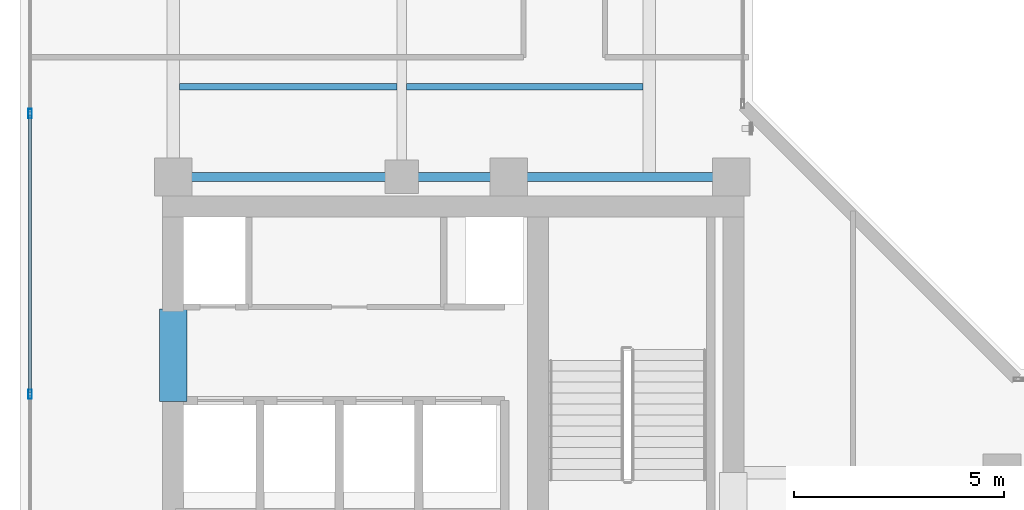
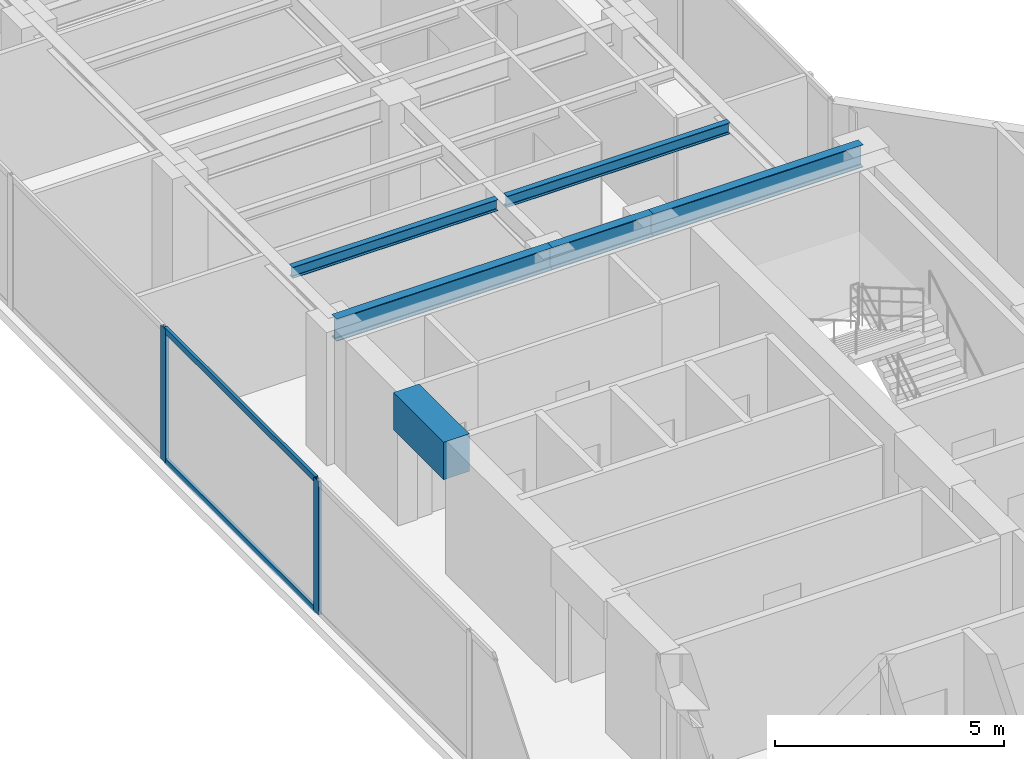
# One storey, part 7 of 22: 6 beams, 4 members, 1 element without a shape of its own.
"""IFC4 building model written with IfcOpenShell, lengths in metres."""

import ifcopenshell
import ifcopenshell.guid

model = None  # the IFC model being written
_history = None  # IfcOwnerHistory: only IFC2X3 demands one
_inside = {}  # id of a spatial element -> (the spatial element, [elements in it])
_under = {}  # id of a project, library or spatial element -> (it, [spatial elements below it])
_declared = {}  # id of a project -> (the project, [libraries it declares])
_typed = {}  # id of a type object -> (the type object, [elements of that type])
_made_of = {}  # id of a material, layer set ... -> (it, [elements and type objects made of it])


def new_model(schema):
    """Start an empty IFC model of exactly this schema.

    Asked for "IFC4X3", IfcOpenShell would pick the latest addendum, in which some entities
    have other attributes; the version numbers below select the first issue.
    IFC2X3 requires an IfcOwnerHistory on every rooted entity: one is made here for all.
    """
    global model, _history
    if schema == "IFC4X3":
        model = ifcopenshell.file(schema_version=(4, 3, 0, 0))
    else:
        model = ifcopenshell.file(schema=schema)
    _inside.clear()
    _under.clear()
    _declared.clear()
    _typed.clear()
    _made_of.clear()
    _history = None
    if model.schema == "IFC2X3":
        org = make("IfcOrganization", Name="unknown")
        user = make(
            "IfcPersonAndOrganization",
            ThePerson=make("IfcPerson", FamilyName="unknown"),
            TheOrganization=org,
        )
        app = make(
            "IfcApplication",
            ApplicationDeveloper=org,
            Version="unknown",
            ApplicationFullName="unknown",
            ApplicationIdentifier="unknown",
        )
        _history = make(
            "IfcOwnerHistory",
            OwningUser=user,
            OwningApplication=app,
            ChangeAction="ADDED",
            CreationDate=0,
        )
    return model


def make(cls, **values):
    """One entity of the class cls with the attributes given. An attribute that is None is left unset."""
    return model.create_entity(
        cls, **{name: value for name, value in values.items() if value is not None}
    )


def rooted(cls, **values):
    """An entity with a GlobalId (a new one), such as an element, a storey or a relation."""
    return make(cls, GlobalId=ifcopenshell.guid.new(), OwnerHistory=_history, **values)


def si_unit(unit_type, name, prefix=None):
    """IfcSIUnit, for example si_unit("LENGTHUNIT", "METRE", prefix="MILLI")."""
    return make("IfcSIUnit", UnitType=unit_type, Prefix=prefix, Name=name)


def assignment(units):
    """IfcUnitAssignment: the units of a project."""
    return None if units is None else make("IfcUnitAssignment", Units=units)


def point(xyz):
    """IfcCartesianPoint."""
    return None if xyz is None else make("IfcCartesianPoint", Coordinates=xyz)


def direction(xyz):
    """IfcDirection."""
    return None if xyz is None else make("IfcDirection", DirectionRatios=xyz)


def frame(location, z_axis=None, x_axis=None):
    """IfcAxis2Placement3D, a coordinate frame: its origin and axes. An axis left out is left unset."""
    return make(
        "IfcAxis2Placement3D",
        Location=point(location),
        Axis=direction(z_axis),
        RefDirection=direction(x_axis),
    )


def frame_2d(location, x_axis=None):
    """IfcAxis2Placement2D, a coordinate frame in the plane: its origin and x axis."""
    return make(
        "IfcAxis2Placement2D", Location=point(location), RefDirection=direction(x_axis)
    )


def origin():
    """The frame at (0, 0, 0) with its axes left unset."""
    return frame((0.0, 0.0, 0.0))


def origin_with_axes():
    """The frame at (0, 0, 0) with the z axis (0, 0, 1) and the x axis (1, 0, 0) written out."""
    return frame((0.0, 0.0, 0.0), z_axis=(0.0, 0.0, 1.0), x_axis=(1.0, 0.0, 0.0))


def origin_2d():
    """The frame at (0, 0) in the plane with its x axis left unset."""
    return frame_2d((0.0, 0.0))


def place(relative_to, where):
    """IfcLocalPlacement: puts the frame where relative to a parent placement (None: the world)."""
    return make(
        "IfcLocalPlacement", PlacementRelTo=relative_to, RelativePlacement=where
    )


def context(
    kind, dimensions, precision=None, world=None, true_north=None, identifier=None
):
    """IfcGeometricRepresentationContext, for example the 3D "Model" context."""
    return make(
        "IfcGeometricRepresentationContext",
        ContextIdentifier=identifier,
        ContextType=kind,
        CoordinateSpaceDimension=dimensions,
        Precision=precision,
        WorldCoordinateSystem=world,
        TrueNorth=true_north,
    )


def subcontext(parent, identifier, kind, view, scale=None):
    """IfcGeometricRepresentationSubContext, for example "Body" below "Model"."""
    return make(
        "IfcGeometricRepresentationSubContext",
        ContextIdentifier=identifier,
        ContextType=kind,
        ParentContext=parent,
        TargetScale=scale,
        TargetView=view,
    )


def project(units=None, contexts=None):
    """IfcProject with its units and contexts."""
    return rooted(
        "IfcProject",
        Name="project",
        RepresentationContexts=contexts,
        UnitsInContext=assignment(units),
    )


def spatial(cls, under=None, at=None, **own):
    """A site, building, storey or space (cls), placed at a placement, below another one or the project."""
    s = rooted(cls, ObjectPlacement=at, **own)
    if under is not None:
        _under.setdefault(under.id(), (under, []))[1].append(s)
    return s


def profile(cls, at=None, kind="AREA", **sizes):
    """A parametric profile (cls). Its sizes go by their IFC names, for example OverallWidth=200.0."""
    return make(cls, ProfileType=kind, Position=at, **sizes)


def rectangle(**sizes):
    """IfcRectangleProfileDef."""
    return profile("IfcRectangleProfileDef", **sizes)


def hollow_rectangle(**sizes):
    """IfcRectangleHollowProfileDef."""
    return profile("IfcRectangleHollowProfileDef", **sizes)


def i_section(**sizes):
    """IfcIShapeProfileDef."""
    return profile("IfcIShapeProfileDef", **sizes)


def extrude(swept, where, along, depth):
    """IfcExtrudedAreaSolid: the profile swept, set in the frame where, extruded along a direction by depth."""
    return make(
        "IfcExtrudedAreaSolid",
        SweptArea=swept,
        Position=where,
        ExtrudedDirection=direction(along),
        Depth=depth,
    )


def shape(context_of_items, identifier, shape_type, items):
    """IfcShapeRepresentation: the items that make up one representation, for example the "Body"."""
    return make(
        "IfcShapeRepresentation",
        ContextOfItems=context_of_items,
        RepresentationIdentifier=identifier,
        RepresentationType=shape_type,
        Items=items,
    )


def source(mapping_origin, context_of_items, identifier, shape_type, items):
    """IfcRepresentationMap: a shape defined once, which mapped items show again and again."""
    return make(
        "IfcRepresentationMap",
        MappingOrigin=mapping_origin,
        MappedRepresentation=shape(context_of_items, identifier, shape_type, items),
    )


def transform(
    local_origin,
    x_axis=None,
    y_axis=None,
    z_axis=None,
    scale=None,
    scale2=None,
    scale3=None,
    uniform=True,
):
    """IfcCartesianTransformationOperator3D, or its non-uniform kind. x_axis, y_axis, z_axis: its Axis1, 2, 3."""
    if uniform:
        return make(
            "IfcCartesianTransformationOperator3D",
            Axis1=direction(x_axis),
            Axis2=direction(y_axis),
            LocalOrigin=point(local_origin),
            Scale=scale,
            Axis3=direction(z_axis),
        )
    return make(
        "IfcCartesianTransformationOperator3DnonUniform",
        Axis1=direction(x_axis),
        Axis2=direction(y_axis),
        LocalOrigin=point(local_origin),
        Scale=scale,
        Axis3=direction(z_axis),
        Scale2=scale2,
        Scale3=scale3,
    )


def mapped(mapping_source, mapping_target):
    """IfcMappedItem: shows the shape of a source again, moved by a transform."""
    return make(
        "IfcMappedItem", MappingSource=mapping_source, MappingTarget=mapping_target
    )


def material(Name=None, Category=None):
    """IfcMaterial."""
    return make("IfcMaterial", Name=Name, Category=Category)


def layer(
    of_material, thickness, ventilated=None, Name=None, Category=None, Priority=None
):
    """IfcMaterialLayer: one layer of a wall or slab, of a material (None: an air gap)."""
    return make(
        "IfcMaterialLayer",
        Material=of_material,
        LayerThickness=thickness,
        IsVentilated=ventilated,
        Name=Name,
        Category=Category,
        Priority=Priority,
    )


def layer_set(layers, Name=None):
    """IfcMaterialLayerSet."""
    return make("IfcMaterialLayerSet", MaterialLayers=layers, LayerSetName=Name)


def material_profile(
    of_material, cross_section, Name=None, Category=None, Priority=None
):
    """IfcMaterialProfile: a cross section and its material."""
    return make(
        "IfcMaterialProfile",
        Name=Name,
        Material=of_material,
        Profile=cross_section,
        Priority=Priority,
        Category=Category,
    )


def profile_set(profiles, Name=None, composite=None):
    """IfcMaterialProfileSet."""
    return make(
        "IfcMaterialProfileSet",
        Name=Name,
        MaterialProfiles=profiles,
        CompositeProfile=composite,
    )


def made_of(thing, what):
    """Note that an element or type object is made of a material, layer set ...; save() writes the relation."""
    if what is not None:
        _made_of.setdefault(what.id(), (what, []))[1].append(thing)
    return thing


def type_object(cls, material=None, **own):
    """A type object (cls), such as IfcWallType, which elements share."""
    return made_of(rooted(cls, **own), material)


def element(
    cls,
    number,
    at=None,
    inside=None,
    cuts=None,
    type_object=None,
    material=None,
    context=None,
    identifier="Body",
    shape_type=None,
    held_by="IfcProductDefinitionShape",
    body=None,
    shapes=None,
    **own,
):
    """One element of the class cls, such as IfcWall. Its Tag is "e" and its number.

    at: its placement. inside: the storey or other place that contains it. cuts: it is an
    opening in that element (IfcRelVoidsElement). A single representation is given by context,
    identifier, shape_type and body (its items); several are given by shapes. held_by: the class
    of the entity that holds the representations. save() writes the other relations.
    """
    e = rooted(cls, Tag="e%d" % number, ObjectPlacement=at, **own)
    if body is not None:
        shapes = [shape(context, identifier, shape_type, body)]
    if shapes is not None:
        e.Representation = make(held_by, Representations=shapes)
    if inside is not None:
        _inside.setdefault(inside.id(), (inside, []))[1].append(e)
    if cuts is not None:
        rooted(
            "IfcRelVoidsElement", RelatingBuildingElement=cuts, RelatedOpeningElement=e
        )
    if type_object is not None:
        _typed.setdefault(type_object.id(), (type_object, []))[1].append(e)
    return made_of(e, material)


def aggregate(whole, parts):
    """IfcRelAggregates: a whole, such as a stair, and the parts it consists of."""
    return rooted("IfcRelAggregates", RelatingObject=whole, RelatedObjects=parts)


def save(model, path):
    """Write the relations noted so far, then the file.

    IfcRelAggregates (storeys below a building ...), IfcRelContainedInSpatialStructure (elements
    in a storey), IfcRelDefinesByType, IfcRelAssociatesMaterial and IfcRelDeclares: one each for
    every whole, place, type object, material and project.
    """
    for whole, parts in _under.values():
        aggregate(whole, parts)
    for where, things in _inside.values():
        rooted(
            "IfcRelContainedInSpatialStructure",
            RelatedElements=things,
            RelatingStructure=where,
        )
    for kind, things in _typed.values():
        rooted("IfcRelDefinesByType", RelatedObjects=things, RelatingType=kind)
    for what, things in _made_of.values():
        rooted("IfcRelAssociatesMaterial", RelatedObjects=things, RelatingMaterial=what)
    for by, libraries in _declared.values():
        rooted("IfcRelDeclares", RelatingContext=by, RelatedDefinitions=libraries)
    model.write(path)


model = new_model("IFC4")

# Units and contexts
model_context = context("Model", 3, precision=1e-05, world=origin(), true_north=direction((0.0, 1.0)))
body_context = subcontext(model_context, "Body", "Model", "MODEL_VIEW")
ifc_project = project(units=[si_unit("LENGTHUNIT", "METRE"), si_unit("AREAUNIT", "SQUARE_METRE"), si_unit("VOLUMEUNIT", "CUBIC_METRE"), si_unit("PLANEANGLEUNIT", "RADIAN"), si_unit("MASSUNIT", "GRAM", prefix="KILO")], contexts=[model_context])

# Site, building, storey
site_placement = place(None, origin())
site = spatial("IfcSite", under=ifc_project, at=site_placement, CompositionType="ELEMENT")
building_placement = place(site_placement, origin())
building = spatial("IfcBuilding", under=site, at=building_placement, Name="Kolvaren Waterfront Exchange", CompositionType="ELEMENT")
storey_placement = place(building_placement, frame((0.0, 0.0, 312.199951171875)))
storey = spatial("IfcBuildingStorey", under=building, at=storey_placement, Name="L80", CompositionType="ELEMENT", Elevation=312.199951171875)

# Beams
ifc_material_1 = material(Name="Steel S355", Category="steel")
ifc_material_profile_1 = material_profile(ifc_material_1, i_section(OverallWidth=0.14990234375, OverallDepth=0.300048828125, WebThickness=0.007080078125, FlangeThickness=0.0107421875, FilletRadius=0.014892578125, at=origin_2d()), Name="IPE300")
ifc_profile_set_1 = profile_set([ifc_material_profile_1], Name="Steel S355")
beam_type_1 = type_object("IfcBeamType", Name="STR-BM-IPE300", PredefinedType="JOIST", material=ifc_profile_set_1)
beam_1_placement = place(storey_placement, frame((7.60205078125, 26.60009765625, 3.41015625), z_axis=(1.0, 0.0, 0.0), x_axis=(0.0, 1.0, 0.0)))
element("IfcBeam", 1, at=beam_1_placement, inside=storey, type_object=beam_type_1, Name="L80 north-arm composite joist 1A", PredefinedType="JOIST", context=body_context, shape_type="SweptSolid", body=[
    extrude(i_section(OverallWidth=0.14990234375, OverallDepth=0.300048828125, WebThickness=0.007080078125, FlangeThickness=0.0107421875, FilletRadius=0.014892578125, at=origin_2d()), origin(), (0.0, 0.0, 1.0), 5.18603515625),
])
beam_2_placement = place(storey_placement, frame((13.011962890625, 26.60009765625, 3.41015625), z_axis=(1.0, 0.0, 0.0), x_axis=(0.0, 1.0, 0.0)))
element("IfcBeam", 2, at=beam_2_placement, inside=storey, type_object=beam_type_1, Name="L80 north-arm composite joist 1B", PredefinedType="JOIST", context=body_context, shape_type="SweptSolid", body=[
    extrude(i_section(OverallWidth=0.14990234375, OverallDepth=0.300048828125, WebThickness=0.007080078125, FlangeThickness=0.0107421875, FilletRadius=0.014892578125, at=origin_2d()), origin(), (0.0, 0.0, 1.0), 5.635986328125),
])
ifc_material_profile_2 = material_profile(ifc_material_1, i_section(OverallWidth=0.219970703125, OverallDepth=0.60009765625, WebThickness=0.011962890625, FlangeThickness=0.01904296875, FilletRadius=0.02392578125, at=origin_2d()), Name="IPE600")
ifc_profile_set_2 = profile_set([ifc_material_profile_2], Name="Steel S355")
beam_type_2 = type_object("IfcBeamType", Name="STR-BM-IPE600", PredefinedType="BEAM", material=ifc_profile_set_2)
beam_3_placement = place(storey_placement, frame((7.449951171875, 24.449951171875, 3.260009765625), z_axis=(1.0, 0.0, 0.0), x_axis=(0.0, 1.0, 0.0)))
element("IfcBeam", 3, at=beam_3_placement, inside=storey, type_object=beam_type_2, Name="L80 north-arm girder 1A", PredefinedType="BEAM", context=body_context, shape_type="SweptSolid", body=[
    extrude(i_section(OverallWidth=0.219970703125, OverallDepth=0.60009765625, WebThickness=0.011962890625, FlangeThickness=0.01904296875, FilletRadius=0.02392578125, at=origin_2d()), origin(), (0.0, 0.0, 1.0), 5.449951171875),
])
beam_4_placement = place(storey_placement, frame((12.89990234375, 24.449951171875, 3.260009765625), z_axis=(1.0, 0.0, 0.0), x_axis=(0.0, 1.0, 0.0)))
element("IfcBeam", 4, at=beam_4_placement, inside=storey, type_object=beam_type_2, Name="L80 north-arm girder 1B", PredefinedType="BEAM", context=body_context, shape_type="SweptSolid", body=[
    extrude(i_section(OverallWidth=0.219970703125, OverallDepth=0.60009765625, WebThickness=0.011962890625, FlangeThickness=0.01904296875, FilletRadius=0.02392578125, at=origin_2d()), origin(), (0.0, 0.0, 1.0), 2.550048828125),
])
beam_5_placement = place(storey_placement, frame((15.449951171875, 24.449951171875, 3.260009765625), z_axis=(1.0, 0.0, 0.0), x_axis=(0.0, 1.0, 0.0)))
element("IfcBeam", 5, at=beam_5_placement, inside=storey, type_object=beam_type_2, Name="L80 north-arm girder 1C", PredefinedType="BEAM", context=body_context, shape_type="SweptSolid", body=[
    extrude(i_section(OverallWidth=0.219970703125, OverallDepth=0.60009765625, WebThickness=0.011962890625, FlangeThickness=0.01904296875, FilletRadius=0.02392578125, at=origin_2d()), origin(), (0.0, 0.0, 1.0), 5.300048828125),
])
ifc_material_2 = material(Name="Concrete C60/75", Category="concrete")
ifc_material_profile_3 = material_profile(ifc_material_2, rectangle(XDim=0.64990234375, YDim=1.0, at=origin_2d()), Name="RC-CB-1000x650")
ifc_profile_set_3 = profile_set([ifc_material_profile_3], Name="Concrete C60/75")
beam_type_3 = type_object("IfcBeamType", Name="STR-CB-1000", PredefinedType="SPANDREL", material=ifc_profile_set_3)
beam_6_placement = place(storey_placement, frame((7.449951171875, 19.10009765625, 3.06005859375), z_axis=(0.0, 1.0, 0.0), x_axis=(-1.0, 0.0, 0.0)))
element("IfcBeam", 6, at=beam_6_placement, inside=storey, type_object=beam_type_3, Name="L80 core coupling beam 5", PredefinedType="SPANDREL", context=body_context, shape_type="SweptSolid", body=[
    extrude(rectangle(XDim=0.64990234375, YDim=1.0, at=origin_2d()), origin(), (0.0, 0.0, 1.0), 2.199951171875),
])

# Curtain wall, members
ifc_material_3 = material(Name="Anodised aluminium 6063-T6", Category="aluminium")
ifc_layer = layer(ifc_material_3, 0.219970703125, Name="Anodised aluminium 6063-T6")
ifc_layer_set = layer_set([ifc_layer], Name="Anodised aluminium 6063-T6")
curtain_wall_type = type_object("IfcCurtainWallType", Name="ARC-CW-SYS2", PredefinedType="USERDEFINED", material=ifc_layer_set)
curtain_wall_placement = place(storey_placement, origin())
curtain_wall = element("IfcCurtainWall", 7, at=curtain_wall_placement, inside=storey, type_object=curtain_wall_type, Name="L80 stick curtain wall CW2 (CW-L80-W)", ObjectType="STICK CURTAIN WALL", PredefinedType="USERDEFINED")
ifc_material_profile_4 = material_profile(ifc_material_3, hollow_rectangle(XDim=0.080078125, YDim=0.219970703125, WallThickness=0.0048828125, at=origin_2d()), Name="ALU-MUL-220x80x5")
ifc_profile_set_4 = profile_set([ifc_material_profile_4], Name="Anodised aluminium 6063-T6")
member_type_1 = type_object("IfcMemberType", Name="ARC-CWM-220", PredefinedType="MULLION", material=ifc_profile_set_4)
shared_shape_1 = source(origin_with_axes(), body_context, "Body", "SweptSolid", [
    extrude(hollow_rectangle(XDim=0.080078125, YDim=0.219970703125, WallThickness=0.0048828125, at=origin_2d()), origin(), (0.0, 0.0, 1.0), 3.56005859375),
])
member_1_placement = place(storey_placement, frame((4.0400390625, 19.273681640625, 0.0), z_axis=(0.0, 0.0, 1.0), x_axis=(-1.0, 0.0, 0.0)))
member_1 = element("IfcMember", 8, at=member_1_placement, type_object=member_type_1, Name="CW2 mullion 3", PredefinedType="MULLION", context=body_context, shape_type="MappedRepresentation", body=[
    mapped(shared_shape_1, transform((0.0, 0.0, 0.0), x_axis=(1.0, 0.0, 0.0), y_axis=(0.0, 1.0, 0.0), z_axis=(0.0, 0.0, 1.0), scale=1.0)),
])
member_2_placement = place(storey_placement, frame((4.0400390625, 25.96044921875, 0.0), z_axis=(0.0, 0.0, 1.0), x_axis=(-1.0, 0.0, 0.0)))
member_2 = element("IfcMember", 9, at=member_2_placement, type_object=member_type_1, Name="CW2 mullion 4", PredefinedType="MULLION", context=body_context, shape_type="MappedRepresentation", body=[
    mapped(shared_shape_1, transform((0.0, 0.0, 0.0), x_axis=(1.0, 0.0, 0.0), y_axis=(0.0, 1.0, 0.0), z_axis=(0.0, 0.0, 1.0), scale=1.0)),
])
ifc_material_profile_5 = material_profile(ifc_material_3, hollow_rectangle(XDim=0.074951171875, YDim=0.159912109375, WallThickness=0.00439453125, at=origin_2d()), Name="ALU-TRN-160x75x4.5")
ifc_profile_set_5 = profile_set([ifc_material_profile_5], Name="Anodised aluminium 6063-T6")
member_type_2 = type_object("IfcMemberType", Name="ARC-CWT-160", PredefinedType="USERDEFINED", material=ifc_profile_set_5)
shared_shape_2 = source(origin_with_axes(), body_context, "Body", "SweptSolid", [
    extrude(hollow_rectangle(XDim=0.074951171875, YDim=0.159912109375, WallThickness=0.00439453125, at=origin_2d()), origin(), (0.0, 0.0, 1.0), 6.60693359375),
])
member_3_placement = place(storey_placement, frame((4.0400390625, 19.313720703125, 0.03759765625), z_axis=(0.0, 1.0, 0.0), x_axis=(-1.0, 0.0, 0.0)))
member_3 = element("IfcMember", 10, at=member_3_placement, type_object=member_type_2, Name="CW2 transom 3.1", ObjectType="TRANSOM", PredefinedType="USERDEFINED", context=body_context, shape_type="MappedRepresentation", body=[
    mapped(shared_shape_2, transform((0.0, 0.0, 0.0), x_axis=(1.0, 0.0, 0.0), y_axis=(0.0, 1.0, 0.0), z_axis=(0.0, 0.0, 1.0), scale=1.0)),
])
member_4_placement = place(storey_placement, frame((4.0400390625, 19.313720703125, 3.5224609375), z_axis=(0.0, 1.0, 0.0), x_axis=(-1.0, 0.0, 0.0)))
member_4 = element("IfcMember", 11, at=member_4_placement, type_object=member_type_2, Name="CW2 transom 3.2", ObjectType="TRANSOM", PredefinedType="USERDEFINED", context=body_context, shape_type="MappedRepresentation", body=[
    mapped(shared_shape_2, transform((0.0, 0.0, 0.0), x_axis=(1.0, 0.0, 0.0), y_axis=(0.0, 1.0, 0.0), z_axis=(0.0, 0.0, 1.0), scale=1.0)),
])
aggregate(curtain_wall, [member_1, member_2, member_3, member_4])

save(model, "model.ifc")
